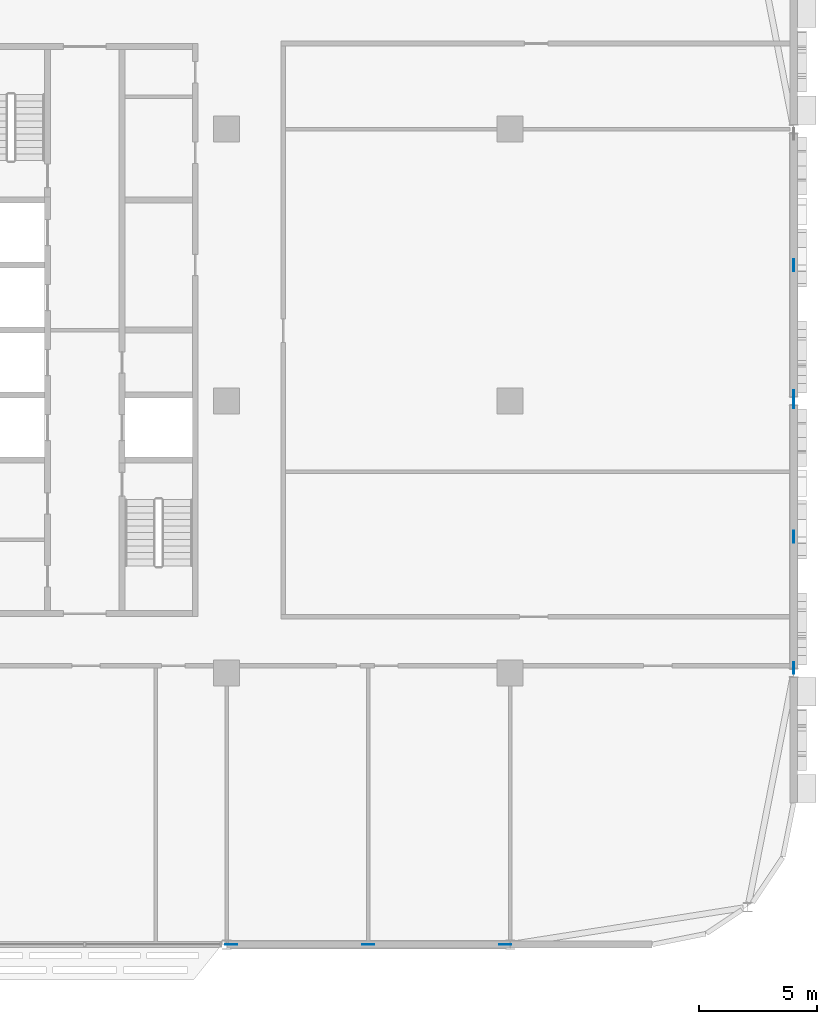
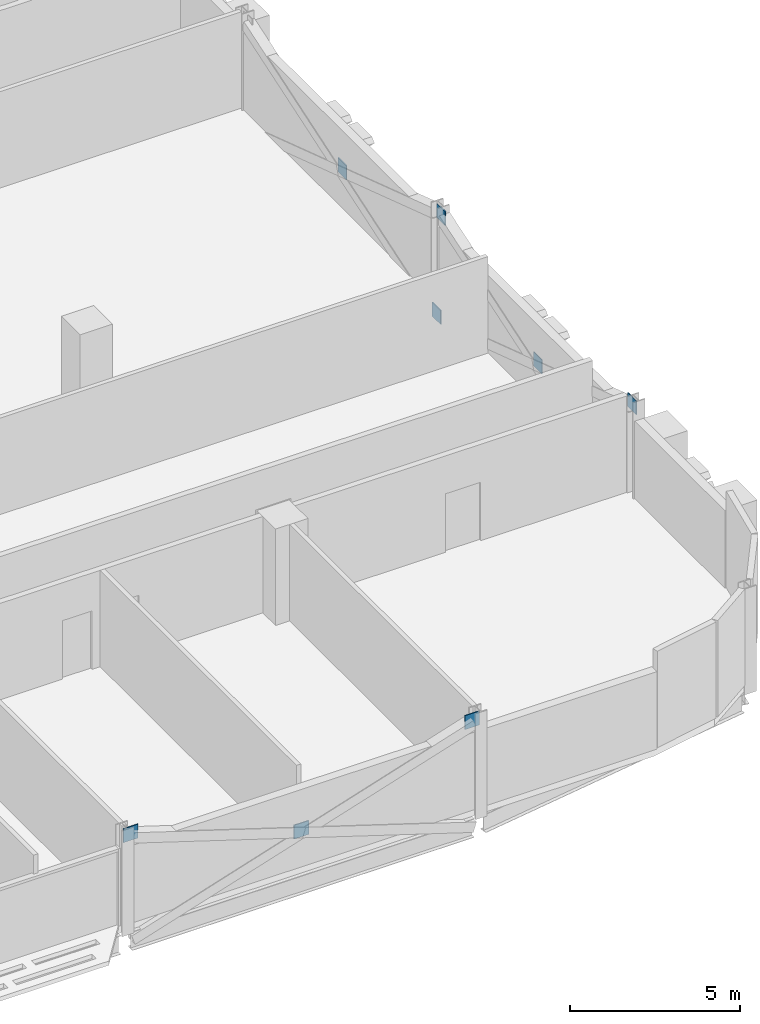
# One storey, part 22 of 29: 8 discrete accessories.
"""IFC4 building model written with IfcOpenShell, lengths in metres."""

from ifc_helpers import new_model, si_unit, direction, frame, origin, origin_2d, place, context, subcontext, project, spatial, rectangle, extrude, material, layer, layer_set, type_object, element, save


model = new_model("IFC4")

# Units and contexts
model_context = context("Model", 3, precision=1e-05, world=origin(), true_north=direction((0.0, 1.0)))
body_context = subcontext(model_context, "Body", "Model", "MODEL_VIEW")
ifc_project = project(units=[si_unit("LENGTHUNIT", "METRE"), si_unit("AREAUNIT", "SQUARE_METRE"), si_unit("VOLUMEUNIT", "CUBIC_METRE"), si_unit("PLANEANGLEUNIT", "RADIAN"), si_unit("MASSUNIT", "GRAM", prefix="KILO")], contexts=[model_context])

# Site, building, storey
site_placement = place(None, origin())
site = spatial("IfcSite", under=ifc_project, at=site_placement, CompositionType="ELEMENT")
building_placement = place(site_placement, origin())
building = spatial("IfcBuilding", under=site, at=building_placement, Name="Mahtab Terrace Research Tower", CompositionType="ELEMENT")
storey_placement = place(building_placement, frame((0.0, 0.0, 197.699951171875)))
storey = spatial("IfcBuildingStorey", under=building, at=storey_placement, Name="L47", CompositionType="ELEMENT", Elevation=197.699951171875)

# Discrete accessories
ifc_material = material(Name="Steel ASTM A992 Gr 50", Category="steel")
ifc_layer = layer(ifc_material, 0.030029296875)
ifc_layer_set = layer_set([ifc_layer], Name="Gusset plate 500x500x30")
discrete_accessory_type = type_object("IfcDiscreteAccessoryType", Name="Gusset plate 500x500x30", PredefinedType="USERDEFINED", material=ifc_layer_set)
for number, where, z_axis, x_axis, name in (
    (1, (30.20068359375, -23.0, 2.870849609375), (0.0, 0.0, 1.0), (1.0, 0.0, 0.0), "Gusset plate"),
    (2, (36.0, -23.0, 0.970947265625), (0.0, 0.0, 1.0), (1.0, 0.0, 0.0), "Gusset plate"),
    (3, (41.79931640625, -23.0, 2.870849609375), (0.0, 0.0, 1.0), (1.0, 0.0, 0.0), "Gusset plate"),
    (4, (54.0, -11.300537109375, 2.870849609375), (0.0, 0.0, 1.0), (0.0, 1.0, 0.0), "Gusset plate"),
    (5, (54.0, -5.75, 0.970947265625), (0.0, 0.0, 1.0), (0.0, 1.0, 0.0), "Gusset plate"),
    (6, (54.0, -0.06640625, 2.848876953125), (0.0, 0.0, 1.0), (0.0, 1.0, 0.0), "Gusset plate"),
    (7, (54.0, 0.199462890625, -0.863037109375), (0.0, 0.0, 1.0), (0.0, 1.0, 0.0), "Gusset plate"),
    (8, (54.0, 5.75, 0.970947265625), (0.0, 0.0, 1.0), (0.0, 1.0, 0.0), "Gusset plate"),
):
    element("IfcDiscreteAccessory", number, at=place(storey_placement, frame(where, z_axis=z_axis, x_axis=x_axis)), inside=storey, type_object=discrete_accessory_type, Name=name, ObjectType="GUSSET PLATE", PredefinedType="USERDEFINED", context=body_context, shape_type="SweptSolid", body=[
        extrude(rectangle(XDim=0.5, YDim=0.030029296875, at=origin_2d()), origin(), (0.0, 0.0, 1.0), 0.5),
    ])

save(model, "model.ifc")
